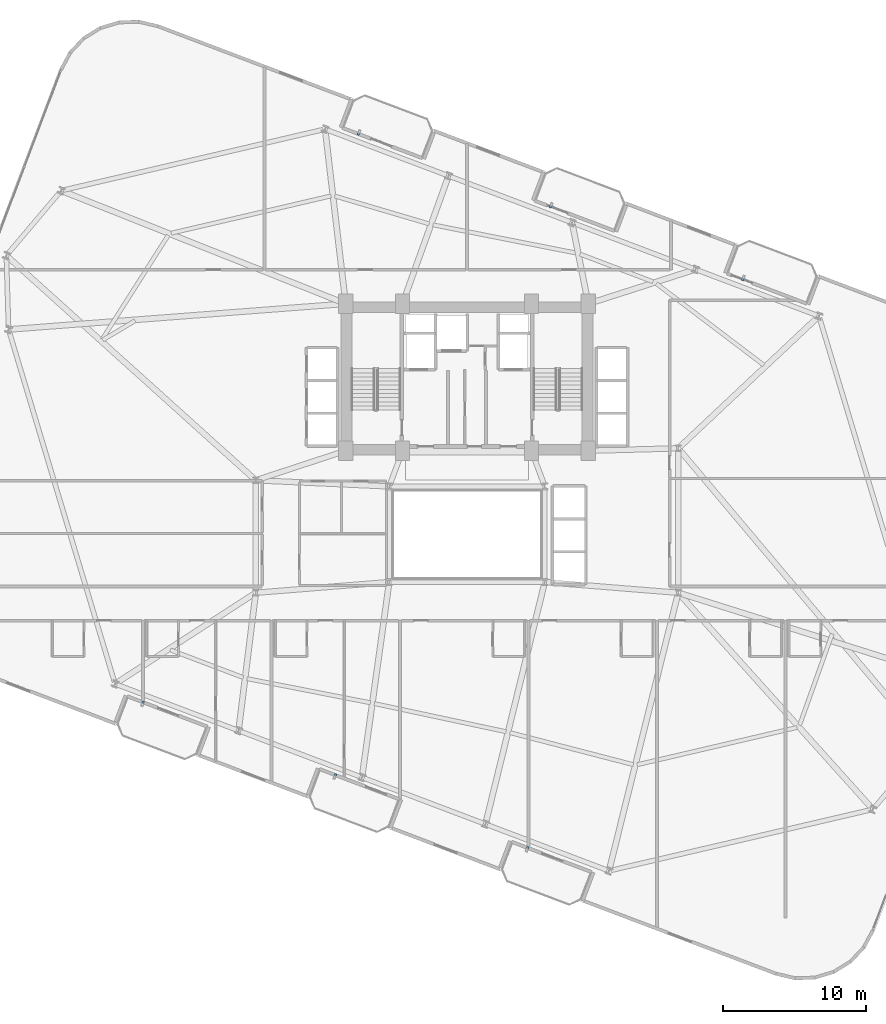
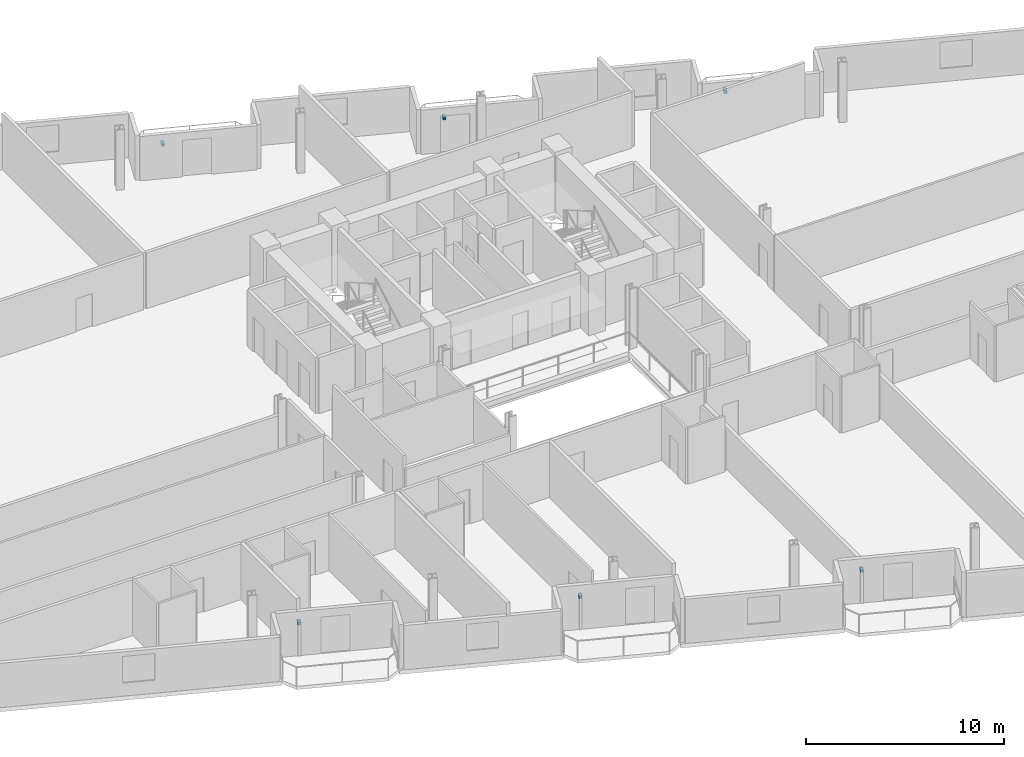
# One storey, part 22 of 25: 6 discrete accessories.
"""IFC4 building model written with IfcOpenShell, lengths in metres."""

from ifc_helpers import new_model, si_unit, direction, frame, origin, origin_2d, place, context, subcontext, project, spatial, rectangle, extrude, source, transform, mapped, material, type_object, element, save


model = new_model("IFC4")

# Units and contexts
model_context = context("Model", 3, precision=1e-05, world=origin(), true_north=direction((0.0, 1.0)))
body_context = subcontext(model_context, "Body", "Model", "MODEL_VIEW")
ifc_project = project(units=[si_unit("LENGTHUNIT", "METRE"), si_unit("AREAUNIT", "SQUARE_METRE"), si_unit("VOLUMEUNIT", "CUBIC_METRE"), si_unit("PLANEANGLEUNIT", "RADIAN"), si_unit("MASSUNIT", "GRAM", prefix="KILO")], contexts=[model_context])

# Site, building, storey
site_placement = place(None, origin())
site = spatial("IfcSite", under=ifc_project, at=site_placement, CompositionType="ELEMENT")
building_placement = place(site_placement, origin())
building = spatial("IfcBuilding", under=site, at=building_placement, Name="Varnelok Gate Tower", CompositionType="ELEMENT")
storey_placement = place(building_placement, frame((0.0, 0.0, 83.60009765625)))
storey = spatial("IfcBuildingStorey", under=building, at=storey_placement, Name="L20", CompositionType="ELEMENT", Elevation=83.60009765625)

# Discrete accessories
ifc_material = material(Name="Structural Steel ASTM A500 Grade C", Category="steel")
discrete_accessory_type = type_object("IfcDiscreteAccessoryType", Name="ACC-BAGUETTE-BRK", PredefinedType="BRACKET", material=ifc_material)
shared_shape = source(origin(), body_context, "Body", "SweptSolid", [
    extrude(rectangle(XDim=0.159912109375, YDim=0.340087890625, at=origin_2d()), origin(), (0.0, 0.0, 1.0), 0.139892578125),
])
for number, where, z_axis, x_axis, name in (
    (1, (16.483154296875, 11.050048828125, 1.97998046875), (0.0, 0.0, 1.0), (0.935221751401, -0.354062530786, 0.0), "L20 Terracotta Baguette Bracket 1.1"),
    (2, (29.9501953125, 5.95166015625, 1.97998046875), (0.0, 0.0, 1.0), (0.935221751401, -0.354062530786, 0.0), "L20 Terracotta Baguette Bracket 2.1"),
    (3, (43.41748046875, 0.85302734375, 1.97998046875), (0.0, 0.0, 1.0), (0.935221751401, -0.354062530786, 0.0), "L20 Terracotta Baguette Bracket 3.1"),
    (4, (31.61572265625, 51.021484375, 1.97998046875), (0.0, 0.0, 1.0), (0.935221751401, -0.354062530786, 0.0), "L20 Terracotta Baguette Bracket 4.1"),
    (5, (45.0830078125, 45.923095703125, 1.97998046875), (0.0, 0.0, 1.0), (0.935221751401, -0.354062530786, 0.0), "L20 Terracotta Baguette Bracket 5.1"),
    (6, (58.550048828125, 40.824462890625, 1.97998046875), (0.0, 0.0, 1.0), (0.935221751401, -0.354062530786, 0.0), "L20 Terracotta Baguette Bracket 6.1"),
):
    element("IfcDiscreteAccessory", number, at=place(storey_placement, frame(where, z_axis=z_axis, x_axis=x_axis)), inside=storey, type_object=discrete_accessory_type, Name=name, PredefinedType="BRACKET", context=body_context, shape_type="MappedRepresentation", body=[
        mapped(shared_shape, transform((0.0, 0.0, 0.0), scale=1.0)),
    ])

save(model, "model.ifc")
